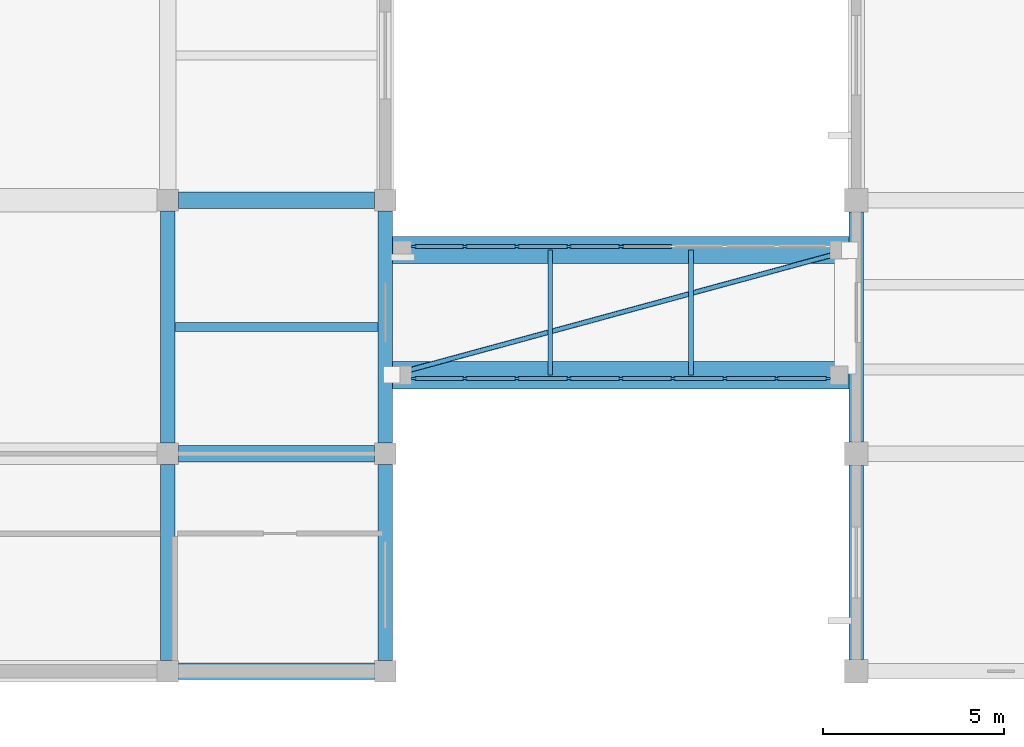
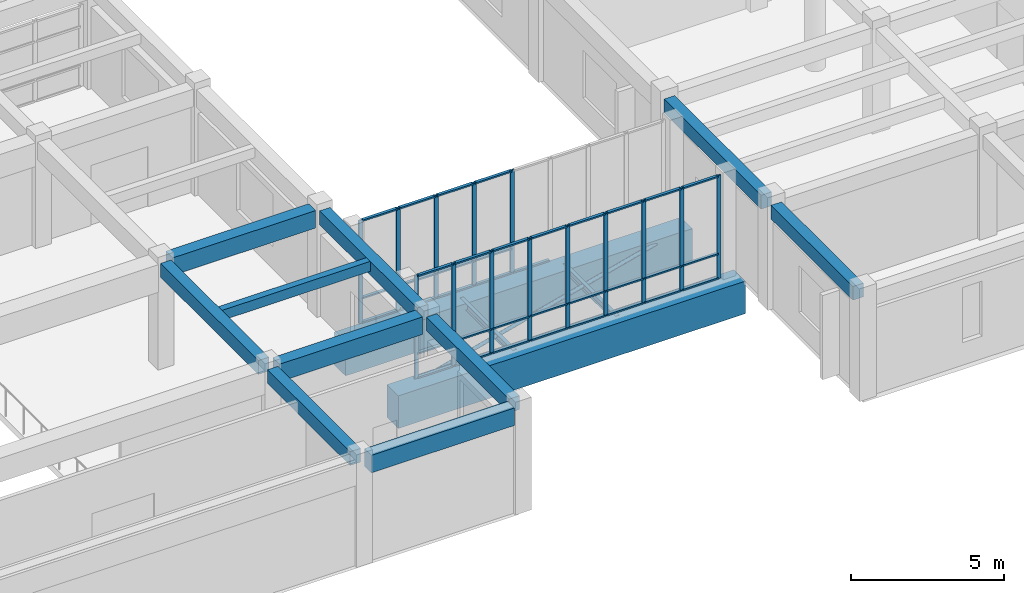
# One storey, part 7 of 72: 52 members, 14 beams, 2 elements without a shape of their own.
"""IFC4 building model written with IfcOpenShell, lengths in metres."""

from ifc_helpers import new_model, si_unit, direction, frame, origin, origin_2d, place, context, subcontext, project, spatial, rectangle, hollow_circle, i_section, extrude, material, layer, layer_set, material_profile, profile_set, type_object, element, aggregate, save


model = new_model("IFC4")

# Units and contexts
model_context = context("Model", 3, precision=1e-05, world=origin(), true_north=direction((0.0, 1.0)))
body_context = subcontext(model_context, "Body", "Model", "MODEL_VIEW")
ifc_project = project(units=[si_unit("LENGTHUNIT", "METRE"), si_unit("AREAUNIT", "SQUARE_METRE"), si_unit("VOLUMEUNIT", "CUBIC_METRE"), si_unit("PLANEANGLEUNIT", "RADIAN"), si_unit("MASSUNIT", "GRAM", prefix="KILO")], contexts=[model_context])

# Site, building, storey
site_placement = place(None, origin())
site = spatial("IfcSite", under=ifc_project, at=site_placement, CompositionType="ELEMENT")
building_placement = place(site_placement, origin())
building = spatial("IfcBuilding", under=site, at=building_placement, Name="Naurynzar Civic Courthouse", CompositionType="ELEMENT")
storey_placement = place(building_placement, frame((0.0, 0.0, 9.89990234375)))
storey = spatial("IfcBuildingStorey", under=building, at=storey_placement, Name="L03", CompositionType="ELEMENT", Elevation=9.89990234375)

# Beams
ifc_material_1 = material(Name="Concrete C40/50", Category="concrete")
ifc_material_profile_1 = material_profile(ifc_material_1, rectangle(XDim=0.25, YDim=0.39990234375, at=origin_2d()), Name="RCB 250x400")
ifc_profile_set_1 = profile_set([ifc_material_profile_1], Name="Concrete C40/50")
beam_type_1 = type_object("IfcBeamType", Name="BM-JST-250x400", PredefinedType="JOIST", material=ifc_profile_set_1)
beam_1_placement = place(storey_placement, frame((50.199951171875, 13.5, 4.030029296875), z_axis=(1.0, 0.0, 0.0), x_axis=(0.0, 1.0, 0.0)))
element("IfcBeam", 1, at=beam_1_placement, inside=storey, type_object=beam_type_1, Name="V4 secondary rib 1905 L03", PredefinedType="JOIST", context=body_context, shape_type="SweptSolid", body=[
    extrude(rectangle(XDim=0.25, YDim=0.39990234375, at=origin_2d()), origin(), (0.0, 0.0, 1.0), 5.60009765625),
])
ifc_material_2 = material(Name="Concrete C40/50", Category="concrete")
ifc_material_profile_2 = material_profile(ifc_material_2, rectangle(XDim=0.39990234375, YDim=0.550048828125, at=origin_2d()), Name="RCB 400x550")
ifc_profile_set_2 = profile_set([ifc_material_profile_2], Name="Concrete C40/50")
beam_type_2 = type_object("IfcBeamType", Name="BM-RC-400x550", PredefinedType="BEAM", material=ifc_profile_set_2)
beam_2_placement = place(storey_placement, frame((69.0, 4.324951171875, 3.885009765625), z_axis=(0.0, 1.0, 0.0), x_axis=(-1.0, 0.0, 0.0)))
element("IfcBeam", 2, at=beam_2_placement, inside=storey, type_object=beam_type_2, Name="V3 girder Y-1445 L03", PredefinedType="BEAM", context=body_context, shape_type="SweptSolid", body=[
    extrude(rectangle(XDim=0.39990234375, YDim=0.550048828125, at=origin_2d()), origin(), (0.0, 0.0, 1.0), 5.35009765625),
])
beam_3_placement = place(storey_placement, frame((69.0, 10.324951171875, 3.885009765625), z_axis=(0.0, 1.0, 0.0), x_axis=(-1.0, 0.0, 0.0)))
element("IfcBeam", 3, at=beam_3_placement, inside=storey, type_object=beam_type_2, Name="V3 girder Y-1446 L03", PredefinedType="BEAM", context=body_context, shape_type="SweptSolid", body=[
    extrude(rectangle(XDim=0.39990234375, YDim=0.550048828125, at=origin_2d()), origin(), (0.0, 0.0, 1.0), 6.35009765625),
])
beam_4_placement = place(storey_placement, frame((50.0, 4.300048828125, 3.955078125), z_axis=(0.0, 1.0, 0.0), x_axis=(-1.0, 0.0, 0.0)))
element("IfcBeam", 4, at=beam_4_placement, inside=storey, type_object=beam_type_2, Name="V4 girder Y-1895 L03", PredefinedType="BEAM", context=body_context, shape_type="SweptSolid", body=[
    extrude(rectangle(XDim=0.39990234375, YDim=0.550048828125, at=origin_2d()), origin(), (0.0, 0.0, 1.0), 5.39990234375),
])
beam_5_placement = place(storey_placement, frame((50.0, 10.300048828125, 3.955078125), z_axis=(0.0, 1.0, 0.0), x_axis=(-1.0, 0.0, 0.0)))
element("IfcBeam", 5, at=beam_5_placement, inside=storey, type_object=beam_type_2, Name="V4 girder Y-1896 L03", PredefinedType="BEAM", context=body_context, shape_type="SweptSolid", body=[
    extrude(rectangle(XDim=0.39990234375, YDim=0.550048828125, at=origin_2d()), origin(), (0.0, 0.0, 1.0), 6.39990234375),
])
beam_6_placement = place(storey_placement, frame((56.0, 4.300048828125, 3.955078125), z_axis=(0.0, 1.0, 0.0), x_axis=(-1.0, 0.0, 0.0)))
element("IfcBeam", 6, at=beam_6_placement, inside=storey, type_object=beam_type_2, Name="V4 girder Y-1899 L03", PredefinedType="BEAM", context=body_context, shape_type="SweptSolid", body=[
    extrude(rectangle(XDim=0.39990234375, YDim=0.550048828125, at=origin_2d()), origin(), (0.0, 0.0, 1.0), 5.39990234375),
])
beam_7_placement = place(storey_placement, frame((56.0, 10.300048828125, 3.955078125), z_axis=(0.0, 1.0, 0.0), x_axis=(-1.0, 0.0, 0.0)))
element("IfcBeam", 7, at=beam_7_placement, inside=storey, type_object=beam_type_2, Name="V4 girder Y-1900 L03", PredefinedType="BEAM", context=body_context, shape_type="SweptSolid", body=[
    extrude(rectangle(XDim=0.39990234375, YDim=0.550048828125, at=origin_2d()), origin(), (0.0, 0.0, 1.0), 6.39990234375),
])
ifc_material_3 = material(Name="Concrete C40/50", Category="concrete")
ifc_material_profile_3 = material_profile(ifc_material_3, rectangle(XDim=0.449951171875, YDim=0.699951171875, at=origin_2d()), Name="RCB 450x700")
ifc_profile_set_3 = profile_set([ifc_material_profile_3], Name="Concrete C40/50")
beam_type_3 = type_object("IfcBeamType", Name="BM-RC-450x700", PredefinedType="BEAM", material=ifc_profile_set_3)
for number, where, z_axis, x_axis, name in (
    (8, (50.300048828125, 4.0, 3.880126953125), (1.0, 0.0, 0.0), (0.0, 1.0, 0.0), "V4 beam X-1860 L03"),
    (9, (50.300048828125, 10.0, 3.880126953125), (1.0, 0.0, 0.0), (0.0, 1.0, 0.0), "V4 beam X-1865 L03"),
    (10, (50.300048828125, 17.0, 3.880126953125), (1.0, 0.0, 0.0), (0.0, 1.0, 0.0), "V4 beam X-1869 L03"),
):
    element("IfcBeam", number, at=place(storey_placement, frame(where, z_axis=z_axis, x_axis=x_axis)), inside=storey, type_object=beam_type_3, Name=name, PredefinedType="BEAM", context=body_context, shape_type="SweptSolid", body=[
        extrude(rectangle(XDim=0.449951171875, YDim=0.699951171875, at=origin_2d()), origin(), (0.0, 0.0, 1.0), 5.39990234375),
    ])
ifc_material_4 = material(Name="Steel S355", Category="steel")
ifc_material_profile_4 = material_profile(ifc_material_4, i_section(OverallWidth=0.135009765625, OverallDepth=0.27001953125, WebThickness=0.006591796875, FlangeThickness=0.01025390625, FilletRadius=0.014892578125, at=origin_2d()), Name="IPE 270")
ifc_profile_set_4 = profile_set([ifc_material_profile_4], Name="Steel S355")
beam_type_4 = type_object("IfcBeamType", Name="BM-STL-IPE270", PredefinedType="BEAM", material=ifc_profile_set_4)
for number, where, z_axis, x_axis, name in (
    (11, (60.555908203125, 12.169921875, -0.375), (0.0, 1.0, 0.0), (-1.0, 0.0, 0.0), "BR-S1 deck cross-beam L03.1"),
    (12, (64.444091796875, 12.169921875, -0.375), (0.0, 1.0, 0.0), (-1.0, 0.0, 0.0), "BR-S1 deck cross-beam L03.2"),
):
    element("IfcBeam", number, at=place(storey_placement, frame(where, z_axis=z_axis, x_axis=x_axis)), inside=storey, type_object=beam_type_4, Name=name, PredefinedType="BEAM", context=body_context, shape_type="SweptSolid", body=[
        extrude(i_section(OverallWidth=0.135009765625, OverallDepth=0.27001953125, WebThickness=0.006591796875, FlangeThickness=0.01025390625, FilletRadius=0.014892578125, at=origin_2d()), origin(), (0.0, 0.0, 1.0), 3.4599609375),
    ])
ifc_material_5 = material(Name="Concrete C40/50", Category="concrete")
ifc_material_profile_5 = material_profile(ifc_material_5, rectangle(XDim=0.75, YDim=1.300048828125, at=origin_2d()), Name="RCT 750x1300")
ifc_profile_set_5 = profile_set([ifc_material_profile_5], Name="Concrete C40/50")
beam_type_5 = type_object("IfcBeamType", Name="BM-TR-750x1300", PredefinedType="SPANDREL", material=ifc_profile_set_5)
for number, where, z_axis, x_axis, name in (
    (13, (55.949951171875, 12.169921875, -0.889892578125), (1.0, 0.0, 0.0), (0.0, 1.0, 0.0), "Transfer Girder TG-01"),
    (14, (55.949951171875, 15.6298828125, -0.889892578125), (1.0, 0.0, 0.0), (0.0, 1.0, 0.0), "Transfer Girder TG-01"),
):
    element("IfcBeam", number, at=place(storey_placement, frame(where, z_axis=z_axis, x_axis=x_axis)), inside=storey, type_object=beam_type_5, Name=name, PredefinedType="SPANDREL", context=body_context, shape_type="SweptSolid", body=[
        extrude(rectangle(XDim=0.75, YDim=1.300048828125, at=origin_2d()), origin(), (0.0, 0.0, 1.0), 13.10009765625),
    ])

# Curtain wall, members
ifc_material_6 = material(Name="Aluminium 6063-T6", Category="aluminium")
ifc_layer = layer(ifc_material_6, 0.14990234375)
ifc_layer_set = layer_set([ifc_layer], Name="CW-BRIDGE-1500")
curtain_wall_type = type_object("IfcCurtainWallType", Name="CW-BRIDGE-1500", PredefinedType="USERDEFINED", material=ifc_layer_set)
curtain_wall_1_placement = place(storey_placement, origin())
curtain_wall_1 = element("IfcCurtainWall", 15, at=curtain_wall_1_placement, inside=storey, type_object=curtain_wall_type, Name="BR-S1 glazed bridge screen L03.1", ObjectType="GLAZED BRIDGE SCREEN", PredefinedType="USERDEFINED")
ifc_material_7 = material(Name="Aluminium 6063-T6", Category="aluminium")
ifc_material_profile_6 = material_profile(ifc_material_7, rectangle(XDim=0.06005859375, YDim=0.14990234375, at=origin_2d()), Name="ALU MULLION 60x150")
ifc_profile_set_6 = profile_set([ifc_material_profile_6], Name="Aluminium 6063-T6")
member_type_1 = type_object("IfcMemberType", Name="CWM-60x150", PredefinedType="MULLION", material=ifc_profile_set_6)
member_1_placement = place(storey_placement, frame((56.7900390625, 12.080078125, 0.0), z_axis=(0.0, 0.0, 1.0), x_axis=(0.0, 1.0, 0.0)))
member_1 = element("IfcMember", 16, at=member_1_placement, type_object=member_type_1, Name="CW-03 mullion 1", PredefinedType="MULLION", context=body_context, shape_type="SweptSolid", body=[
    extrude(rectangle(XDim=0.06005859375, YDim=0.14990234375, at=origin_2d()), origin(), (0.0, 0.0, 1.0), 4.1201171875),
])
member_2_placement = place(storey_placement, frame((58.195068359375, 12.080078125, 0.0), z_axis=(0.0, 0.0, 1.0), x_axis=(0.0, 1.0, 0.0)))
member_2 = element("IfcMember", 17, at=member_2_placement, type_object=member_type_1, Name="CW-03 mullion 2", PredefinedType="MULLION", context=body_context, shape_type="SweptSolid", body=[
    extrude(rectangle(XDim=0.06005859375, YDim=0.14990234375, at=origin_2d()), origin(), (0.0, 0.0, 1.0), 4.1201171875),
])
member_3_placement = place(storey_placement, frame((59.6298828125, 12.080078125, 0.0), z_axis=(0.0, 0.0, 1.0), x_axis=(0.0, 1.0, 0.0)))
member_3 = element("IfcMember", 18, at=member_3_placement, type_object=member_type_1, Name="CW-03 mullion 3", PredefinedType="MULLION", context=body_context, shape_type="SweptSolid", body=[
    extrude(rectangle(XDim=0.06005859375, YDim=0.14990234375, at=origin_2d()), origin(), (0.0, 0.0, 1.0), 4.1201171875),
])
member_4_placement = place(storey_placement, frame((61.06494140625, 12.080078125, 0.0), z_axis=(0.0, 0.0, 1.0), x_axis=(0.0, 1.0, 0.0)))
member_4 = element("IfcMember", 19, at=member_4_placement, type_object=member_type_1, Name="CW-03 mullion 4", PredefinedType="MULLION", context=body_context, shape_type="SweptSolid", body=[
    extrude(rectangle(XDim=0.06005859375, YDim=0.14990234375, at=origin_2d()), origin(), (0.0, 0.0, 1.0), 4.1201171875),
])
member_5_placement = place(storey_placement, frame((62.5, 12.080078125, 0.0), z_axis=(0.0, 0.0, 1.0), x_axis=(0.0, 1.0, 0.0)))
member_5 = element("IfcMember", 20, at=member_5_placement, type_object=member_type_1, Name="CW-03 mullion 5", PredefinedType="MULLION", context=body_context, shape_type="SweptSolid", body=[
    extrude(rectangle(XDim=0.06005859375, YDim=0.14990234375, at=origin_2d()), origin(), (0.0, 0.0, 1.0), 4.1201171875),
])
member_6_placement = place(storey_placement, frame((63.93505859375, 12.080078125, 0.0), z_axis=(0.0, 0.0, 1.0), x_axis=(0.0, 1.0, 0.0)))
member_6 = element("IfcMember", 21, at=member_6_placement, type_object=member_type_1, Name="CW-03 mullion 6", PredefinedType="MULLION", context=body_context, shape_type="SweptSolid", body=[
    extrude(rectangle(XDim=0.06005859375, YDim=0.14990234375, at=origin_2d()), origin(), (0.0, 0.0, 1.0), 4.1201171875),
])
member_7_placement = place(storey_placement, frame((65.3701171875, 12.080078125, 0.0), z_axis=(0.0, 0.0, 1.0), x_axis=(0.0, 1.0, 0.0)))
member_7 = element("IfcMember", 22, at=member_7_placement, type_object=member_type_1, Name="CW-03 mullion 7", PredefinedType="MULLION", context=body_context, shape_type="SweptSolid", body=[
    extrude(rectangle(XDim=0.06005859375, YDim=0.14990234375, at=origin_2d()), origin(), (0.0, 0.0, 1.0), 4.1201171875),
])
member_8_placement = place(storey_placement, frame((66.804931640625, 12.080078125, 0.0), z_axis=(0.0, 0.0, 1.0), x_axis=(0.0, 1.0, 0.0)))
member_8 = element("IfcMember", 23, at=member_8_placement, type_object=member_type_1, Name="CW-03 mullion 8", PredefinedType="MULLION", context=body_context, shape_type="SweptSolid", body=[
    extrude(rectangle(XDim=0.06005859375, YDim=0.14990234375, at=origin_2d()), origin(), (0.0, 0.0, 1.0), 4.1201171875),
])
member_9_placement = place(storey_placement, frame((68.2099609375, 12.080078125, 0.0), z_axis=(0.0, 0.0, 1.0), x_axis=(0.0, 1.0, 0.0)))
member_9 = element("IfcMember", 24, at=member_9_placement, type_object=member_type_1, Name="CW-03 mullion 9", PredefinedType="MULLION", context=body_context, shape_type="SweptSolid", body=[
    extrude(rectangle(XDim=0.06005859375, YDim=0.14990234375, at=origin_2d()), origin(), (0.0, 0.0, 1.0), 4.1201171875),
])

curtain_wall_2_placement = place(storey_placement, origin())
curtain_wall_2 = element("IfcCurtainWall", 25, at=curtain_wall_2_placement, inside=storey, type_object=curtain_wall_type, Name="BR-S1 glazed bridge screen L03.2", ObjectType="GLAZED BRIDGE SCREEN", PredefinedType="USERDEFINED")
member_10_placement = place(storey_placement, frame((62.5, 15.719970703125, 0.0), z_axis=(0.0, 0.0, 1.0), x_axis=(0.0, -1.0, 0.0)))
member_10 = element("IfcMember", 26, at=member_10_placement, type_object=member_type_1, Name="CW-03 mullion 5", PredefinedType="MULLION", context=body_context, shape_type="SweptSolid", body=[
    extrude(rectangle(XDim=0.06005859375, YDim=0.14990234375, at=origin_2d()), origin(), (0.0, 0.0, 1.0), 4.1201171875),
])
member_11_placement = place(storey_placement, frame((61.06494140625, 15.719970703125, 0.0), z_axis=(0.0, 0.0, 1.0), x_axis=(0.0, -1.0, 0.0)))
member_11 = element("IfcMember", 27, at=member_11_placement, type_object=member_type_1, Name="CW-03 mullion 6", PredefinedType="MULLION", context=body_context, shape_type="SweptSolid", body=[
    extrude(rectangle(XDim=0.06005859375, YDim=0.14990234375, at=origin_2d()), origin(), (0.0, 0.0, 1.0), 4.1201171875),
])
member_12_placement = place(storey_placement, frame((59.6298828125, 15.719970703125, 0.0), z_axis=(0.0, 0.0, 1.0), x_axis=(0.0, -1.0, 0.0)))
member_12 = element("IfcMember", 28, at=member_12_placement, type_object=member_type_1, Name="CW-03 mullion 7", PredefinedType="MULLION", context=body_context, shape_type="SweptSolid", body=[
    extrude(rectangle(XDim=0.06005859375, YDim=0.14990234375, at=origin_2d()), origin(), (0.0, 0.0, 1.0), 4.1201171875),
])
member_13_placement = place(storey_placement, frame((58.195068359375, 15.719970703125, 0.0), z_axis=(0.0, 0.0, 1.0), x_axis=(0.0, -1.0, 0.0)))
member_13 = element("IfcMember", 29, at=member_13_placement, type_object=member_type_1, Name="CW-03 mullion 8", PredefinedType="MULLION", context=body_context, shape_type="SweptSolid", body=[
    extrude(rectangle(XDim=0.06005859375, YDim=0.14990234375, at=origin_2d()), origin(), (0.0, 0.0, 1.0), 4.1201171875),
])
member_14_placement = place(storey_placement, frame((56.7900390625, 15.719970703125, 0.0), z_axis=(0.0, 0.0, 1.0), x_axis=(0.0, -1.0, 0.0)))
member_14 = element("IfcMember", 30, at=member_14_placement, type_object=member_type_1, Name="CW-03 mullion 9", PredefinedType="MULLION", context=body_context, shape_type="SweptSolid", body=[
    extrude(rectangle(XDim=0.06005859375, YDim=0.14990234375, at=origin_2d()), origin(), (0.0, 0.0, 1.0), 4.1201171875),
])

# Member
ifc_material_8 = material(Name="Aluminium 6063-T6", Category="aluminium")
ifc_material_profile_7 = material_profile(ifc_material_8, rectangle(XDim=0.110107421875, YDim=0.06005859375, at=origin_2d()), Name="ALU TRANSOM 60x110")
ifc_profile_set_7 = profile_set([ifc_material_profile_7], Name="Aluminium 6063-T6")
member_type_2 = type_object("IfcMemberType", Name="CWT-60x110", PredefinedType="USERDEFINED", material=ifc_profile_set_7)
member_15_placement = place(storey_placement, frame((56.820068359375, 12.080078125, 0.030029296875), z_axis=(1.0, 0.0, 0.0), x_axis=(0.0, 1.0, 0.0)))
member_15 = element("IfcMember", 31, at=member_15_placement, type_object=member_type_2, Name="CW-03 transom 1.1", ObjectType="TRANSOM", PredefinedType="USERDEFINED", context=body_context, shape_type="SweptSolid", body=[
    extrude(rectangle(XDim=0.110107421875, YDim=0.06005859375, at=origin_2d()), origin(), (0.0, 0.0, 1.0), 1.344970703125),
])

member_16_placement = place(storey_placement, frame((56.820068359375, 12.080078125, 1.0), z_axis=(1.0, 0.0, 0.0), x_axis=(0.0, 1.0, 0.0)))
member_16 = element("IfcMember", 32, at=member_16_placement, type_object=member_type_2, Name="CW-03 transom 1.2", ObjectType="TRANSOM", PredefinedType="USERDEFINED", context=body_context, shape_type="SweptSolid", body=[
    extrude(rectangle(XDim=0.110107421875, YDim=0.06005859375, at=origin_2d()), origin(), (0.0, 0.0, 1.0), 1.344970703125),
])

member_17_placement = place(storey_placement, frame((56.820068359375, 12.080078125, 4.090087890625), z_axis=(1.0, 0.0, 0.0), x_axis=(0.0, 1.0, 0.0)))
member_17 = element("IfcMember", 33, at=member_17_placement, type_object=member_type_2, Name="CW-03 transom 1.3", ObjectType="TRANSOM", PredefinedType="USERDEFINED", context=body_context, shape_type="SweptSolid", body=[
    extrude(rectangle(XDim=0.110107421875, YDim=0.06005859375, at=origin_2d()), origin(), (0.0, 0.0, 1.0), 1.344970703125),
])

member_18_placement = place(storey_placement, frame((58.22509765625, 12.080078125, 0.030029296875), z_axis=(1.0, 0.0, 0.0), x_axis=(0.0, 1.0, 0.0)))
member_18 = element("IfcMember", 34, at=member_18_placement, type_object=member_type_2, Name="CW-03 transom 2.1", ObjectType="TRANSOM", PredefinedType="USERDEFINED", context=body_context, shape_type="SweptSolid", body=[
    extrude(rectangle(XDim=0.110107421875, YDim=0.06005859375, at=origin_2d()), origin(), (0.0, 0.0, 1.0), 1.375),
])

member_19_placement = place(storey_placement, frame((58.22509765625, 12.080078125, 1.0), z_axis=(1.0, 0.0, 0.0), x_axis=(0.0, 1.0, 0.0)))
member_19 = element("IfcMember", 35, at=member_19_placement, type_object=member_type_2, Name="CW-03 transom 2.2", ObjectType="TRANSOM", PredefinedType="USERDEFINED", context=body_context, shape_type="SweptSolid", body=[
    extrude(rectangle(XDim=0.110107421875, YDim=0.06005859375, at=origin_2d()), origin(), (0.0, 0.0, 1.0), 1.375),
])

member_20_placement = place(storey_placement, frame((58.22509765625, 12.080078125, 4.090087890625), z_axis=(1.0, 0.0, 0.0), x_axis=(0.0, 1.0, 0.0)))
member_20 = element("IfcMember", 36, at=member_20_placement, type_object=member_type_2, Name="CW-03 transom 2.3", ObjectType="TRANSOM", PredefinedType="USERDEFINED", context=body_context, shape_type="SweptSolid", body=[
    extrude(rectangle(XDim=0.110107421875, YDim=0.06005859375, at=origin_2d()), origin(), (0.0, 0.0, 1.0), 1.375),
])

member_21_placement = place(storey_placement, frame((59.659912109375, 12.080078125, 0.030029296875), z_axis=(1.0, 0.0, 0.0), x_axis=(0.0, 1.0, 0.0)))
member_21 = element("IfcMember", 37, at=member_21_placement, type_object=member_type_2, Name="CW-03 transom 3.1", ObjectType="TRANSOM", PredefinedType="USERDEFINED", context=body_context, shape_type="SweptSolid", body=[
    extrude(rectangle(XDim=0.110107421875, YDim=0.06005859375, at=origin_2d()), origin(), (0.0, 0.0, 1.0), 1.375),
])

member_22_placement = place(storey_placement, frame((59.659912109375, 12.080078125, 1.0), z_axis=(1.0, 0.0, 0.0), x_axis=(0.0, 1.0, 0.0)))
member_22 = element("IfcMember", 38, at=member_22_placement, type_object=member_type_2, Name="CW-03 transom 3.2", ObjectType="TRANSOM", PredefinedType="USERDEFINED", context=body_context, shape_type="SweptSolid", body=[
    extrude(rectangle(XDim=0.110107421875, YDim=0.06005859375, at=origin_2d()), origin(), (0.0, 0.0, 1.0), 1.375),
])

member_23_placement = place(storey_placement, frame((59.659912109375, 12.080078125, 4.090087890625), z_axis=(1.0, 0.0, 0.0), x_axis=(0.0, 1.0, 0.0)))
member_23 = element("IfcMember", 39, at=member_23_placement, type_object=member_type_2, Name="CW-03 transom 3.3", ObjectType="TRANSOM", PredefinedType="USERDEFINED", context=body_context, shape_type="SweptSolid", body=[
    extrude(rectangle(XDim=0.110107421875, YDim=0.06005859375, at=origin_2d()), origin(), (0.0, 0.0, 1.0), 1.375),
])

member_24_placement = place(storey_placement, frame((61.094970703125, 12.080078125, 0.030029296875), z_axis=(1.0, 0.0, 0.0), x_axis=(0.0, 1.0, 0.0)))
member_24 = element("IfcMember", 40, at=member_24_placement, type_object=member_type_2, Name="CW-03 transom 4.1", ObjectType="TRANSOM", PredefinedType="USERDEFINED", context=body_context, shape_type="SweptSolid", body=[
    extrude(rectangle(XDim=0.110107421875, YDim=0.06005859375, at=origin_2d()), origin(), (0.0, 0.0, 1.0), 1.375),
])

member_25_placement = place(storey_placement, frame((61.094970703125, 12.080078125, 1.0), z_axis=(1.0, 0.0, 0.0), x_axis=(0.0, 1.0, 0.0)))
member_25 = element("IfcMember", 41, at=member_25_placement, type_object=member_type_2, Name="CW-03 transom 4.2", ObjectType="TRANSOM", PredefinedType="USERDEFINED", context=body_context, shape_type="SweptSolid", body=[
    extrude(rectangle(XDim=0.110107421875, YDim=0.06005859375, at=origin_2d()), origin(), (0.0, 0.0, 1.0), 1.375),
])

member_26_placement = place(storey_placement, frame((61.094970703125, 12.080078125, 4.090087890625), z_axis=(1.0, 0.0, 0.0), x_axis=(0.0, 1.0, 0.0)))
member_26 = element("IfcMember", 42, at=member_26_placement, type_object=member_type_2, Name="CW-03 transom 4.3", ObjectType="TRANSOM", PredefinedType="USERDEFINED", context=body_context, shape_type="SweptSolid", body=[
    extrude(rectangle(XDim=0.110107421875, YDim=0.06005859375, at=origin_2d()), origin(), (0.0, 0.0, 1.0), 1.375),
])

member_27_placement = place(storey_placement, frame((62.530029296875, 12.080078125, 0.030029296875), z_axis=(1.0, 0.0, 0.0), x_axis=(0.0, 1.0, 0.0)))
member_27 = element("IfcMember", 43, at=member_27_placement, type_object=member_type_2, Name="CW-03 transom 5.1", ObjectType="TRANSOM", PredefinedType="USERDEFINED", context=body_context, shape_type="SweptSolid", body=[
    extrude(rectangle(XDim=0.110107421875, YDim=0.06005859375, at=origin_2d()), origin(), (0.0, 0.0, 1.0), 1.375),
])

member_28_placement = place(storey_placement, frame((62.530029296875, 12.080078125, 1.0), z_axis=(1.0, 0.0, 0.0), x_axis=(0.0, 1.0, 0.0)))
member_28 = element("IfcMember", 44, at=member_28_placement, type_object=member_type_2, Name="CW-03 transom 5.2", ObjectType="TRANSOM", PredefinedType="USERDEFINED", context=body_context, shape_type="SweptSolid", body=[
    extrude(rectangle(XDim=0.110107421875, YDim=0.06005859375, at=origin_2d()), origin(), (0.0, 0.0, 1.0), 1.375),
])

member_29_placement = place(storey_placement, frame((62.530029296875, 12.080078125, 4.090087890625), z_axis=(1.0, 0.0, 0.0), x_axis=(0.0, 1.0, 0.0)))
member_29 = element("IfcMember", 45, at=member_29_placement, type_object=member_type_2, Name="CW-03 transom 5.3", ObjectType="TRANSOM", PredefinedType="USERDEFINED", context=body_context, shape_type="SweptSolid", body=[
    extrude(rectangle(XDim=0.110107421875, YDim=0.06005859375, at=origin_2d()), origin(), (0.0, 0.0, 1.0), 1.375),
])

member_30_placement = place(storey_placement, frame((63.965087890625, 12.080078125, 0.030029296875), z_axis=(1.0, 0.0, 0.0), x_axis=(0.0, 1.0, 0.0)))
member_30 = element("IfcMember", 46, at=member_30_placement, type_object=member_type_2, Name="CW-03 transom 6.1", ObjectType="TRANSOM", PredefinedType="USERDEFINED", context=body_context, shape_type="SweptSolid", body=[
    extrude(rectangle(XDim=0.110107421875, YDim=0.06005859375, at=origin_2d()), origin(), (0.0, 0.0, 1.0), 1.375),
])

member_31_placement = place(storey_placement, frame((63.965087890625, 12.080078125, 1.0), z_axis=(1.0, 0.0, 0.0), x_axis=(0.0, 1.0, 0.0)))
member_31 = element("IfcMember", 47, at=member_31_placement, type_object=member_type_2, Name="CW-03 transom 6.2", ObjectType="TRANSOM", PredefinedType="USERDEFINED", context=body_context, shape_type="SweptSolid", body=[
    extrude(rectangle(XDim=0.110107421875, YDim=0.06005859375, at=origin_2d()), origin(), (0.0, 0.0, 1.0), 1.375),
])

member_32_placement = place(storey_placement, frame((63.965087890625, 12.080078125, 4.090087890625), z_axis=(1.0, 0.0, 0.0), x_axis=(0.0, 1.0, 0.0)))
member_32 = element("IfcMember", 48, at=member_32_placement, type_object=member_type_2, Name="CW-03 transom 6.3", ObjectType="TRANSOM", PredefinedType="USERDEFINED", context=body_context, shape_type="SweptSolid", body=[
    extrude(rectangle(XDim=0.110107421875, YDim=0.06005859375, at=origin_2d()), origin(), (0.0, 0.0, 1.0), 1.375),
])

member_33_placement = place(storey_placement, frame((65.39990234375, 12.080078125, 0.030029296875), z_axis=(1.0, 0.0, 0.0), x_axis=(0.0, 1.0, 0.0)))
member_33 = element("IfcMember", 49, at=member_33_placement, type_object=member_type_2, Name="CW-03 transom 7.1", ObjectType="TRANSOM", PredefinedType="USERDEFINED", context=body_context, shape_type="SweptSolid", body=[
    extrude(rectangle(XDim=0.110107421875, YDim=0.06005859375, at=origin_2d()), origin(), (0.0, 0.0, 1.0), 1.375),
])

member_34_placement = place(storey_placement, frame((65.39990234375, 12.080078125, 1.0), z_axis=(1.0, 0.0, 0.0), x_axis=(0.0, 1.0, 0.0)))
member_34 = element("IfcMember", 50, at=member_34_placement, type_object=member_type_2, Name="CW-03 transom 7.2", ObjectType="TRANSOM", PredefinedType="USERDEFINED", context=body_context, shape_type="SweptSolid", body=[
    extrude(rectangle(XDim=0.110107421875, YDim=0.06005859375, at=origin_2d()), origin(), (0.0, 0.0, 1.0), 1.375),
])

member_35_placement = place(storey_placement, frame((65.39990234375, 12.080078125, 4.090087890625), z_axis=(1.0, 0.0, 0.0), x_axis=(0.0, 1.0, 0.0)))
member_35 = element("IfcMember", 51, at=member_35_placement, type_object=member_type_2, Name="CW-03 transom 7.3", ObjectType="TRANSOM", PredefinedType="USERDEFINED", context=body_context, shape_type="SweptSolid", body=[
    extrude(rectangle(XDim=0.110107421875, YDim=0.06005859375, at=origin_2d()), origin(), (0.0, 0.0, 1.0), 1.375),
])

member_36_placement = place(storey_placement, frame((66.8349609375, 12.080078125, 0.030029296875), z_axis=(1.0, 0.0, 0.0), x_axis=(0.0, 1.0, 0.0)))
member_36 = element("IfcMember", 52, at=member_36_placement, type_object=member_type_2, Name="CW-03 transom 8.1", ObjectType="TRANSOM", PredefinedType="USERDEFINED", context=body_context, shape_type="SweptSolid", body=[
    extrude(rectangle(XDim=0.110107421875, YDim=0.06005859375, at=origin_2d()), origin(), (0.0, 0.0, 1.0), 1.344970703125),
])

member_37_placement = place(storey_placement, frame((66.8349609375, 12.080078125, 1.0), z_axis=(1.0, 0.0, 0.0), x_axis=(0.0, 1.0, 0.0)))
member_37 = element("IfcMember", 53, at=member_37_placement, type_object=member_type_2, Name="CW-03 transom 8.2", ObjectType="TRANSOM", PredefinedType="USERDEFINED", context=body_context, shape_type="SweptSolid", body=[
    extrude(rectangle(XDim=0.110107421875, YDim=0.06005859375, at=origin_2d()), origin(), (0.0, 0.0, 1.0), 1.344970703125),
])

member_38_placement = place(storey_placement, frame((66.8349609375, 12.080078125, 4.090087890625), z_axis=(1.0, 0.0, 0.0), x_axis=(0.0, 1.0, 0.0)))
member_38 = element("IfcMember", 54, at=member_38_placement, type_object=member_type_2, Name="CW-03 transom 8.3", ObjectType="TRANSOM", PredefinedType="USERDEFINED", context=body_context, shape_type="SweptSolid", body=[
    extrude(rectangle(XDim=0.110107421875, YDim=0.06005859375, at=origin_2d()), origin(), (0.0, 0.0, 1.0), 1.344970703125),
])

aggregate(curtain_wall_1, [member_1, member_2, member_3, member_4, member_5, member_6, member_7, member_8, member_9, member_15, member_16, member_17, member_18, member_19, member_20, member_21, member_22, member_23, member_24, member_25, member_26, member_27, member_28, member_29, member_30, member_31, member_32, member_33, member_34, member_35, member_36, member_37, member_38])

member_39_placement = place(storey_placement, frame((63.905029296875, 15.719970703125, 0.030029296875), z_axis=(-1.0, 0.0, 0.0), x_axis=(0.0, -1.0, 0.0)))
member_39 = element("IfcMember", 55, at=member_39_placement, type_object=member_type_2, Name="CW-03 transom 4.1", ObjectType="TRANSOM", PredefinedType="USERDEFINED", context=body_context, shape_type="SweptSolid", body=[
    extrude(rectangle(XDim=0.110107421875, YDim=0.06005859375, at=origin_2d()), origin(), (0.0, 0.0, 1.0), 1.375),
])

member_40_placement = place(storey_placement, frame((62.469970703125, 15.719970703125, 0.030029296875), z_axis=(-1.0, 0.0, 0.0), x_axis=(0.0, -1.0, 0.0)))
member_40 = element("IfcMember", 56, at=member_40_placement, type_object=member_type_2, Name="CW-03 transom 5.1", ObjectType="TRANSOM", PredefinedType="USERDEFINED", context=body_context, shape_type="SweptSolid", body=[
    extrude(rectangle(XDim=0.110107421875, YDim=0.06005859375, at=origin_2d()), origin(), (0.0, 0.0, 1.0), 1.375),
])

member_41_placement = place(storey_placement, frame((62.469970703125, 15.719970703125, 1.0), z_axis=(-1.0, 0.0, 0.0), x_axis=(0.0, -1.0, 0.0)))
member_41 = element("IfcMember", 57, at=member_41_placement, type_object=member_type_2, Name="CW-03 transom 5.2", ObjectType="TRANSOM", PredefinedType="USERDEFINED", context=body_context, shape_type="SweptSolid", body=[
    extrude(rectangle(XDim=0.110107421875, YDim=0.06005859375, at=origin_2d()), origin(), (0.0, 0.0, 1.0), 1.375),
])

member_42_placement = place(storey_placement, frame((62.469970703125, 15.719970703125, 4.090087890625), z_axis=(-1.0, 0.0, 0.0), x_axis=(0.0, -1.0, 0.0)))
member_42 = element("IfcMember", 58, at=member_42_placement, type_object=member_type_2, Name="CW-03 transom 5.3", ObjectType="TRANSOM", PredefinedType="USERDEFINED", context=body_context, shape_type="SweptSolid", body=[
    extrude(rectangle(XDim=0.110107421875, YDim=0.06005859375, at=origin_2d()), origin(), (0.0, 0.0, 1.0), 1.375),
])

member_43_placement = place(storey_placement, frame((61.034912109375, 15.719970703125, 0.030029296875), z_axis=(-1.0, 0.0, 0.0), x_axis=(0.0, -1.0, 0.0)))
member_43 = element("IfcMember", 59, at=member_43_placement, type_object=member_type_2, Name="CW-03 transom 6.1", ObjectType="TRANSOM", PredefinedType="USERDEFINED", context=body_context, shape_type="SweptSolid", body=[
    extrude(rectangle(XDim=0.110107421875, YDim=0.06005859375, at=origin_2d()), origin(), (0.0, 0.0, 1.0), 1.375),
])

member_44_placement = place(storey_placement, frame((61.034912109375, 15.719970703125, 1.0), z_axis=(-1.0, 0.0, 0.0), x_axis=(0.0, -1.0, 0.0)))
member_44 = element("IfcMember", 60, at=member_44_placement, type_object=member_type_2, Name="CW-03 transom 6.2", ObjectType="TRANSOM", PredefinedType="USERDEFINED", context=body_context, shape_type="SweptSolid", body=[
    extrude(rectangle(XDim=0.110107421875, YDim=0.06005859375, at=origin_2d()), origin(), (0.0, 0.0, 1.0), 1.375),
])

member_45_placement = place(storey_placement, frame((61.034912109375, 15.719970703125, 4.090087890625), z_axis=(-1.0, 0.0, 0.0), x_axis=(0.0, -1.0, 0.0)))
member_45 = element("IfcMember", 61, at=member_45_placement, type_object=member_type_2, Name="CW-03 transom 6.3", ObjectType="TRANSOM", PredefinedType="USERDEFINED", context=body_context, shape_type="SweptSolid", body=[
    extrude(rectangle(XDim=0.110107421875, YDim=0.06005859375, at=origin_2d()), origin(), (0.0, 0.0, 1.0), 1.375),
])

member_46_placement = place(storey_placement, frame((59.60009765625, 15.719970703125, 0.030029296875), z_axis=(-1.0, 0.0, 0.0), x_axis=(0.0, -1.0, 0.0)))
member_46 = element("IfcMember", 62, at=member_46_placement, type_object=member_type_2, Name="CW-03 transom 7.1", ObjectType="TRANSOM", PredefinedType="USERDEFINED", context=body_context, shape_type="SweptSolid", body=[
    extrude(rectangle(XDim=0.110107421875, YDim=0.06005859375, at=origin_2d()), origin(), (0.0, 0.0, 1.0), 1.375),
])

member_47_placement = place(storey_placement, frame((59.60009765625, 15.719970703125, 1.0), z_axis=(-1.0, 0.0, 0.0), x_axis=(0.0, -1.0, 0.0)))
member_47 = element("IfcMember", 63, at=member_47_placement, type_object=member_type_2, Name="CW-03 transom 7.2", ObjectType="TRANSOM", PredefinedType="USERDEFINED", context=body_context, shape_type="SweptSolid", body=[
    extrude(rectangle(XDim=0.110107421875, YDim=0.06005859375, at=origin_2d()), origin(), (0.0, 0.0, 1.0), 1.375),
])

member_48_placement = place(storey_placement, frame((59.60009765625, 15.719970703125, 4.090087890625), z_axis=(-1.0, 0.0, 0.0), x_axis=(0.0, -1.0, 0.0)))
member_48 = element("IfcMember", 64, at=member_48_placement, type_object=member_type_2, Name="CW-03 transom 7.3", ObjectType="TRANSOM", PredefinedType="USERDEFINED", context=body_context, shape_type="SweptSolid", body=[
    extrude(rectangle(XDim=0.110107421875, YDim=0.06005859375, at=origin_2d()), origin(), (0.0, 0.0, 1.0), 1.375),
])

member_49_placement = place(storey_placement, frame((58.1650390625, 15.719970703125, 0.030029296875), z_axis=(-1.0, 0.0, 0.0), x_axis=(0.0, -1.0, 0.0)))
member_49 = element("IfcMember", 65, at=member_49_placement, type_object=member_type_2, Name="CW-03 transom 8.1", ObjectType="TRANSOM", PredefinedType="USERDEFINED", context=body_context, shape_type="SweptSolid", body=[
    extrude(rectangle(XDim=0.110107421875, YDim=0.06005859375, at=origin_2d()), origin(), (0.0, 0.0, 1.0), 1.344970703125),
])

member_50_placement = place(storey_placement, frame((58.1650390625, 15.719970703125, 1.0), z_axis=(-1.0, 0.0, 0.0), x_axis=(0.0, -1.0, 0.0)))
member_50 = element("IfcMember", 66, at=member_50_placement, type_object=member_type_2, Name="CW-03 transom 8.2", ObjectType="TRANSOM", PredefinedType="USERDEFINED", context=body_context, shape_type="SweptSolid", body=[
    extrude(rectangle(XDim=0.110107421875, YDim=0.06005859375, at=origin_2d()), origin(), (0.0, 0.0, 1.0), 1.344970703125),
])

member_51_placement = place(storey_placement, frame((58.1650390625, 15.719970703125, 4.090087890625), z_axis=(-1.0, 0.0, 0.0), x_axis=(0.0, -1.0, 0.0)))
member_51 = element("IfcMember", 67, at=member_51_placement, type_object=member_type_2, Name="CW-03 transom 8.3", ObjectType="TRANSOM", PredefinedType="USERDEFINED", context=body_context, shape_type="SweptSolid", body=[
    extrude(rectangle(XDim=0.110107421875, YDim=0.06005859375, at=origin_2d()), origin(), (0.0, 0.0, 1.0), 1.344970703125),
])

aggregate(curtain_wall_2, [member_10, member_11, member_12, member_13, member_14, member_39, member_40, member_41, member_42, member_43, member_44, member_45, member_46, member_47, member_48, member_49, member_50, member_51])

ifc_material_9 = material(Name="Steel S355", Category="steel")
ifc_material_profile_8 = material_profile(ifc_material_9, hollow_circle(Radius=0.06982421875, WallThickness=0.008056640625, at=origin_2d()), Name="CHS 139.7x8")
ifc_profile_set_8 = profile_set([ifc_material_profile_8], Name="Steel S355")
member_type_3 = type_object("IfcMemberType", Name="MEM-BRACE-CHS139", PredefinedType="BRACE", material=ifc_profile_set_8)
member_52_placement = place(storey_placement, frame((56.179931640625, 12.179931640625, -0.40478515625), z_axis=(0.964901744126, 0.262611165382, 0.0), x_axis=(-0.262611165382, 0.964901744126, 0.0)))
element("IfcMember", 68, at=member_52_placement, inside=storey, type_object=member_type_3, Name="BR-S1 wind brace L03.1", PredefinedType="BRACE", context=body_context, shape_type="SweptSolid", body=[
    extrude(hollow_circle(Radius=0.06982421875, WallThickness=0.008056640625, at=origin_2d()), origin(), (0.0, 0.0, 1.0), 13.099853515625),
])

save(model, "model.ifc")
